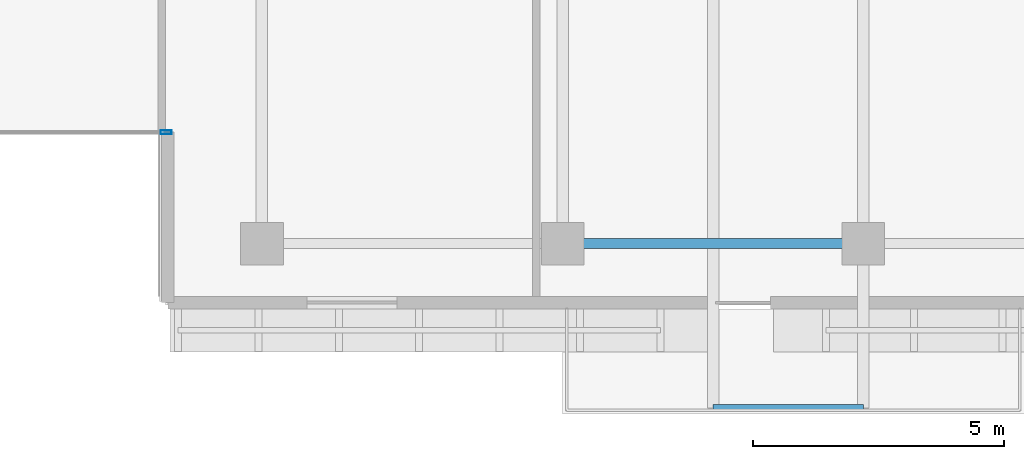
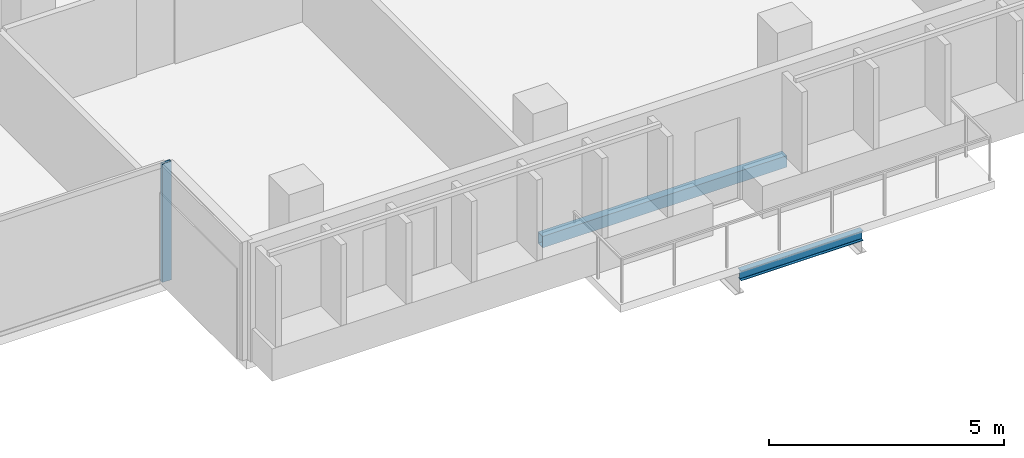
# One storey, part 4 of 19: 2 beams, 1 member, 1 element without a shape of its own.
"""IFC4 building model written with IfcOpenShell, lengths in metres."""

from ifc_helpers import new_model, si_unit, direction, frame, origin, origin_2d, place, context, subcontext, project, spatial, hollow_rectangle, i_section, extrude, material, layer, layer_set, material_profile, profile_set, type_object, element, aggregate, save


model = new_model("IFC4")

# Units and contexts
model_context = context("Model", 3, precision=1e-05, world=origin(), true_north=direction((0.0, 1.0)))
body_context = subcontext(model_context, "Body", "Model", "MODEL_VIEW")
ifc_project = project(units=[si_unit("LENGTHUNIT", "METRE"), si_unit("AREAUNIT", "SQUARE_METRE"), si_unit("VOLUMEUNIT", "CUBIC_METRE"), si_unit("PLANEANGLEUNIT", "RADIAN"), si_unit("MASSUNIT", "GRAM", prefix="KILO")], contexts=[model_context])

# Site, building, storey
site_placement = place(None, origin())
site = spatial("IfcSite", under=ifc_project, at=site_placement, CompositionType="ELEMENT")
building_placement = place(site_placement, origin())
building = spatial("IfcBuilding", under=site, at=building_placement, Name="Tanjung Sevakor Pilgrim Tower", CompositionType="ELEMENT")
storey_placement = place(building_placement, frame((0.0, 0.0, 155.10009765625)))
storey = spatial("IfcBuildingStorey", under=building, at=storey_placement, Name="L43", CompositionType="ELEMENT", Elevation=155.10009765625)

# Beams
ifc_material_1 = material(Name="Steel S355J2", Category="steel")
ifc_material_profile_1 = material_profile(ifc_material_1, i_section(OverallWidth=0.146484375, OverallDepth=0.256103515625, WebThickness=0.00634765625, FlangeThickness=0.010986328125, FilletRadius=0.007568359375, at=origin_2d()))
ifc_profile_set_1 = profile_set([ifc_material_profile_1], Name="Steel S355J2")
beam_type_1 = type_object("IfcBeamType", Name="BM-B-J6-UB_254x146x37", PredefinedType="JOIST", material=ifc_profile_set_1)
beam_1_placement = place(storey_placement, frame((63.0, 9.919921875, -0.328125), z_axis=(1.0, 0.0, 0.0), x_axis=(0.0, 1.0, 0.0)))
element("IfcBeam", 1, at=beam_1_placement, inside=storey, type_object=beam_type_1, Name="L43 Balcony Rim Tie MAIN-S2", PredefinedType="JOIST", context=body_context, shape_type="SweptSolid", body=[
    extrude(i_section(OverallWidth=0.146484375, OverallDepth=0.256103515625, WebThickness=0.00634765625, FlangeThickness=0.010986328125, FilletRadius=0.007568359375, at=origin_2d()), origin(), (0.0, 0.0, 1.0), 3.0),
])
ifc_material_2 = material(Name="Steel S355J2", Category="steel")
ifc_material_profile_2 = material_profile(ifc_material_2, hollow_rectangle(XDim=0.199951171875, YDim=0.300048828125, WallThickness=0.012451171875, at=origin_2d()))
ifc_profile_set_2 = profile_set([ifc_material_profile_2], Name="Steel S355J2")
beam_type_2 = type_object("IfcBeamType", Name="BM-B-SP3-RHS_300x200x12.5", PredefinedType="SPANDREL", material=ifc_profile_set_2)
beam_2_placement = place(storey_placement, frame((60.0, 13.199951171875, -0.3701171875), z_axis=(1.0, 0.0, 0.0), x_axis=(0.0, 1.0, 0.0)))
element("IfcBeam", 2, at=beam_2_placement, inside=storey, type_object=beam_type_2, Name="L43 Spandrel MAIN S-09", PredefinedType="SPANDREL", context=body_context, shape_type="SweptSolid", body=[
    extrude(hollow_rectangle(XDim=0.199951171875, YDim=0.300048828125, WallThickness=0.012451171875, at=origin_2d()), origin(), (0.0, 0.0, 1.0), 6.0),
])

# Curtain wall, member
ifc_material_3 = material(Name="Aluminium 6063-T6 and Low-E Glass", Category="aluminium")
ifc_layer = layer(ifc_material_3, 0.179931640625)
ifc_layer_set = layer_set([ifc_layer], Name="CW-SYS-CLEFT")
curtain_wall_type = type_object("IfcCurtainWallType", Name="CW-SYS-CLEFT", PredefinedType="NOTDEFINED", material=ifc_layer_set)
curtain_wall_placement = place(storey_placement, origin())
curtain_wall = element("IfcCurtainWall", 3, at=curtain_wall_placement, inside=storey, type_object=curtain_wall_type, Name="L43 Curtain Wall CW-CLF-L43-2", PredefinedType="NOTDEFINED")
ifc_material_4 = material(Name="Aluminium 6063-T6", Category="aluminium")
ifc_material_profile_3 = material_profile(ifc_material_4, hollow_rectangle(XDim=0.074951171875, YDim=0.219970703125, WallThickness=0.0048828125, at=origin_2d()))
ifc_profile_set_3 = profile_set([ifc_material_profile_3], Name="Aluminium 6063-T6")
member_type = type_object("IfcMemberType", Name="TYPE-CWM-2", PredefinedType="MULLION", material=ifc_profile_set_3)
member_placement = place(storey_placement, frame((52.08740234375, 15.425048828125, 0.0), z_axis=(0.0, 0.0, 1.0), x_axis=(0.0, 1.0, 0.0)))
member = element("IfcMember", 4, at=member_placement, type_object=member_type, Name="CW-CLF mullion 2", PredefinedType="MULLION", context=body_context, shape_type="SweptSolid", body=[
    extrude(hollow_rectangle(XDim=0.074951171875, YDim=0.219970703125, WallThickness=0.0048828125, at=origin_2d()), origin(), (0.0, 0.0, 1.0), 3.079833984375),
])
aggregate(curtain_wall, [member])

save(model, "model.ifc")
